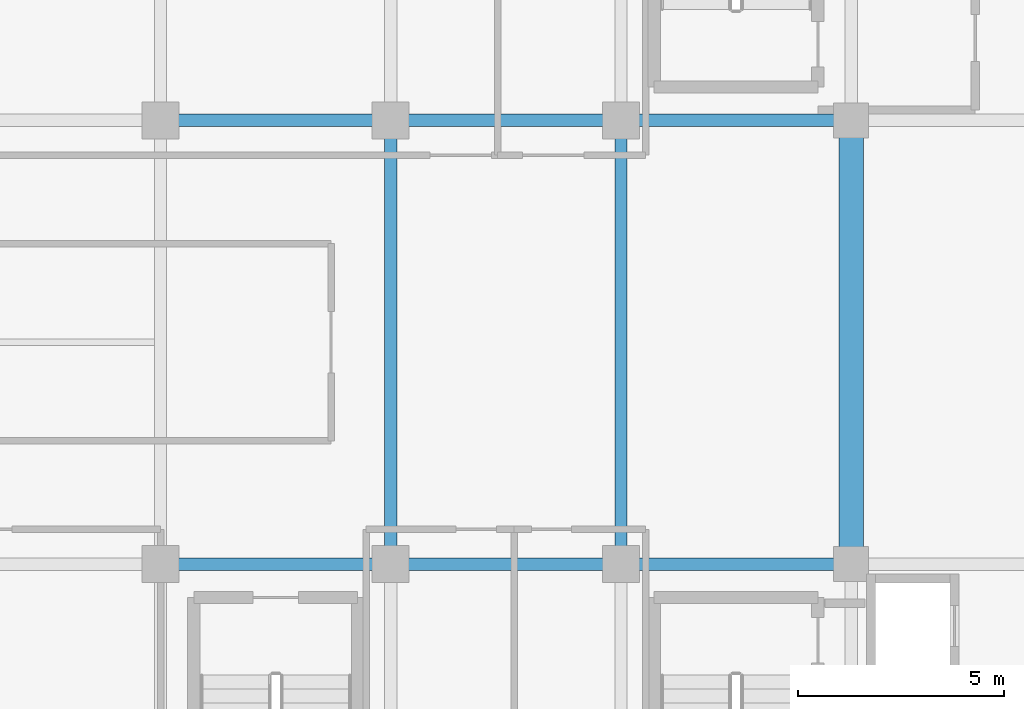
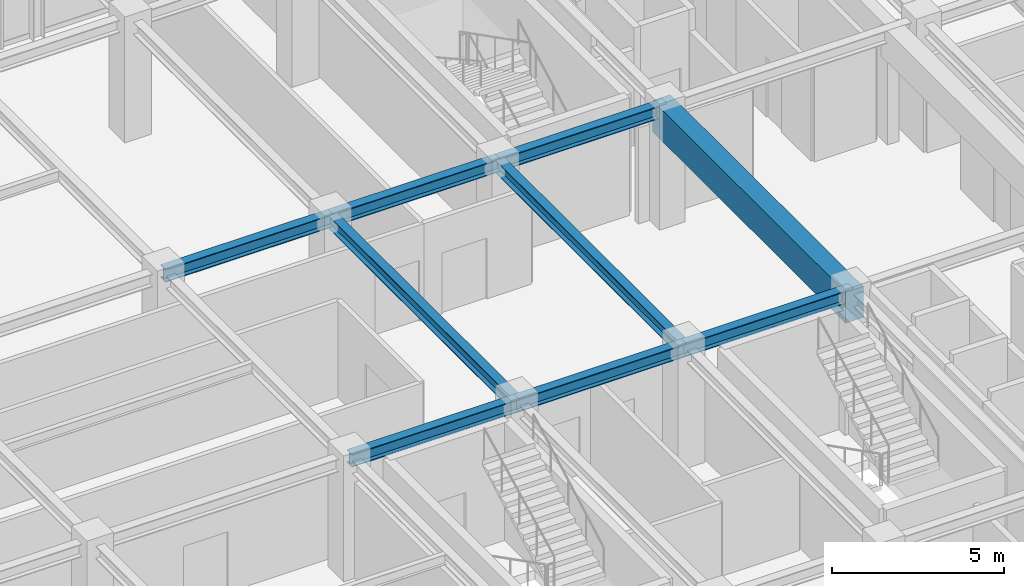
# One storey, part 9 of 20: 9 beams.
"""IFC4 building model written with IfcOpenShell, lengths in metres."""

import ifcopenshell
import ifcopenshell.guid

model = None  # the IFC model being written
_history = None  # IfcOwnerHistory: only IFC2X3 demands one
_inside = {}  # id of a spatial element -> (the spatial element, [elements in it])
_under = {}  # id of a project, library or spatial element -> (it, [spatial elements below it])
_declared = {}  # id of a project -> (the project, [libraries it declares])
_typed = {}  # id of a type object -> (the type object, [elements of that type])
_made_of = {}  # id of a material, layer set ... -> (it, [elements and type objects made of it])


def new_model(schema):
    """Start an empty IFC model of exactly this schema.

    Asked for "IFC4X3", IfcOpenShell would pick the latest addendum, in which some entities
    have other attributes; the version numbers below select the first issue.
    IFC2X3 requires an IfcOwnerHistory on every rooted entity: one is made here for all.
    """
    global model, _history
    if schema == "IFC4X3":
        model = ifcopenshell.file(schema_version=(4, 3, 0, 0))
    else:
        model = ifcopenshell.file(schema=schema)
    _inside.clear()
    _under.clear()
    _declared.clear()
    _typed.clear()
    _made_of.clear()
    _history = None
    if model.schema == "IFC2X3":
        org = make("IfcOrganization", Name="unknown")
        user = make(
            "IfcPersonAndOrganization",
            ThePerson=make("IfcPerson", FamilyName="unknown"),
            TheOrganization=org,
        )
        app = make(
            "IfcApplication",
            ApplicationDeveloper=org,
            Version="unknown",
            ApplicationFullName="unknown",
            ApplicationIdentifier="unknown",
        )
        _history = make(
            "IfcOwnerHistory",
            OwningUser=user,
            OwningApplication=app,
            ChangeAction="ADDED",
            CreationDate=0,
        )
    return model


def make(cls, **values):
    """One entity of the class cls with the attributes given. An attribute that is None is left unset."""
    return model.create_entity(
        cls, **{name: value for name, value in values.items() if value is not None}
    )


def rooted(cls, **values):
    """An entity with a GlobalId (a new one), such as an element, a storey or a relation."""
    return make(cls, GlobalId=ifcopenshell.guid.new(), OwnerHistory=_history, **values)


def si_unit(unit_type, name, prefix=None):
    """IfcSIUnit, for example si_unit("LENGTHUNIT", "METRE", prefix="MILLI")."""
    return make("IfcSIUnit", UnitType=unit_type, Prefix=prefix, Name=name)


def assignment(units):
    """IfcUnitAssignment: the units of a project."""
    return None if units is None else make("IfcUnitAssignment", Units=units)


def point(xyz):
    """IfcCartesianPoint."""
    return None if xyz is None else make("IfcCartesianPoint", Coordinates=xyz)


def direction(xyz):
    """IfcDirection."""
    return None if xyz is None else make("IfcDirection", DirectionRatios=xyz)


def frame(location, z_axis=None, x_axis=None):
    """IfcAxis2Placement3D, a coordinate frame: its origin and axes. An axis left out is left unset."""
    return make(
        "IfcAxis2Placement3D",
        Location=point(location),
        Axis=direction(z_axis),
        RefDirection=direction(x_axis),
    )


def frame_2d(location, x_axis=None):
    """IfcAxis2Placement2D, a coordinate frame in the plane: its origin and x axis."""
    return make(
        "IfcAxis2Placement2D", Location=point(location), RefDirection=direction(x_axis)
    )


def origin():
    """The frame at (0, 0, 0) with its axes left unset."""
    return frame((0.0, 0.0, 0.0))


def origin_2d():
    """The frame at (0, 0) in the plane with its x axis left unset."""
    return frame_2d((0.0, 0.0))


def place(relative_to, where):
    """IfcLocalPlacement: puts the frame where relative to a parent placement (None: the world)."""
    return make(
        "IfcLocalPlacement", PlacementRelTo=relative_to, RelativePlacement=where
    )


def context(
    kind, dimensions, precision=None, world=None, true_north=None, identifier=None
):
    """IfcGeometricRepresentationContext, for example the 3D "Model" context."""
    return make(
        "IfcGeometricRepresentationContext",
        ContextIdentifier=identifier,
        ContextType=kind,
        CoordinateSpaceDimension=dimensions,
        Precision=precision,
        WorldCoordinateSystem=world,
        TrueNorth=true_north,
    )


def subcontext(parent, identifier, kind, view, scale=None):
    """IfcGeometricRepresentationSubContext, for example "Body" below "Model"."""
    return make(
        "IfcGeometricRepresentationSubContext",
        ContextIdentifier=identifier,
        ContextType=kind,
        ParentContext=parent,
        TargetScale=scale,
        TargetView=view,
    )


def project(units=None, contexts=None):
    """IfcProject with its units and contexts."""
    return rooted(
        "IfcProject",
        Name="project",
        RepresentationContexts=contexts,
        UnitsInContext=assignment(units),
    )


def spatial(cls, under=None, at=None, **own):
    """A site, building, storey or space (cls), placed at a placement, below another one or the project."""
    s = rooted(cls, ObjectPlacement=at, **own)
    if under is not None:
        _under.setdefault(under.id(), (under, []))[1].append(s)
    return s


def profile(cls, at=None, kind="AREA", **sizes):
    """A parametric profile (cls). Its sizes go by their IFC names, for example OverallWidth=200.0."""
    return make(cls, ProfileType=kind, Position=at, **sizes)


def rectangle(**sizes):
    """IfcRectangleProfileDef."""
    return profile("IfcRectangleProfileDef", **sizes)


def i_section(**sizes):
    """IfcIShapeProfileDef."""
    return profile("IfcIShapeProfileDef", **sizes)


def extrude(swept, where, along, depth):
    """IfcExtrudedAreaSolid: the profile swept, set in the frame where, extruded along a direction by depth."""
    return make(
        "IfcExtrudedAreaSolid",
        SweptArea=swept,
        Position=where,
        ExtrudedDirection=direction(along),
        Depth=depth,
    )


def shape(context_of_items, identifier, shape_type, items):
    """IfcShapeRepresentation: the items that make up one representation, for example the "Body"."""
    return make(
        "IfcShapeRepresentation",
        ContextOfItems=context_of_items,
        RepresentationIdentifier=identifier,
        RepresentationType=shape_type,
        Items=items,
    )


def source(mapping_origin, context_of_items, identifier, shape_type, items):
    """IfcRepresentationMap: a shape defined once, which mapped items show again and again."""
    return make(
        "IfcRepresentationMap",
        MappingOrigin=mapping_origin,
        MappedRepresentation=shape(context_of_items, identifier, shape_type, items),
    )


def transform(
    local_origin,
    x_axis=None,
    y_axis=None,
    z_axis=None,
    scale=None,
    scale2=None,
    scale3=None,
    uniform=True,
):
    """IfcCartesianTransformationOperator3D, or its non-uniform kind. x_axis, y_axis, z_axis: its Axis1, 2, 3."""
    if uniform:
        return make(
            "IfcCartesianTransformationOperator3D",
            Axis1=direction(x_axis),
            Axis2=direction(y_axis),
            LocalOrigin=point(local_origin),
            Scale=scale,
            Axis3=direction(z_axis),
        )
    return make(
        "IfcCartesianTransformationOperator3DnonUniform",
        Axis1=direction(x_axis),
        Axis2=direction(y_axis),
        LocalOrigin=point(local_origin),
        Scale=scale,
        Axis3=direction(z_axis),
        Scale2=scale2,
        Scale3=scale3,
    )


def mapped(mapping_source, mapping_target):
    """IfcMappedItem: shows the shape of a source again, moved by a transform."""
    return make(
        "IfcMappedItem", MappingSource=mapping_source, MappingTarget=mapping_target
    )


def material(Name=None, Category=None):
    """IfcMaterial."""
    return make("IfcMaterial", Name=Name, Category=Category)


def material_profile(
    of_material, cross_section, Name=None, Category=None, Priority=None
):
    """IfcMaterialProfile: a cross section and its material."""
    return make(
        "IfcMaterialProfile",
        Name=Name,
        Material=of_material,
        Profile=cross_section,
        Priority=Priority,
        Category=Category,
    )


def profile_set(profiles, Name=None, composite=None):
    """IfcMaterialProfileSet."""
    return make(
        "IfcMaterialProfileSet",
        Name=Name,
        MaterialProfiles=profiles,
        CompositeProfile=composite,
    )


def made_of(thing, what):
    """Note that an element or type object is made of a material, layer set ...; save() writes the relation."""
    if what is not None:
        _made_of.setdefault(what.id(), (what, []))[1].append(thing)
    return thing


def type_object(cls, material=None, **own):
    """A type object (cls), such as IfcWallType, which elements share."""
    return made_of(rooted(cls, **own), material)


def element(
    cls,
    number,
    at=None,
    inside=None,
    cuts=None,
    type_object=None,
    material=None,
    context=None,
    identifier="Body",
    shape_type=None,
    held_by="IfcProductDefinitionShape",
    body=None,
    shapes=None,
    **own,
):
    """One element of the class cls, such as IfcWall. Its Tag is "e" and its number.

    at: its placement. inside: the storey or other place that contains it. cuts: it is an
    opening in that element (IfcRelVoidsElement). A single representation is given by context,
    identifier, shape_type and body (its items); several are given by shapes. held_by: the class
    of the entity that holds the representations. save() writes the other relations.
    """
    e = rooted(cls, Tag="e%d" % number, ObjectPlacement=at, **own)
    if body is not None:
        shapes = [shape(context, identifier, shape_type, body)]
    if shapes is not None:
        e.Representation = make(held_by, Representations=shapes)
    if inside is not None:
        _inside.setdefault(inside.id(), (inside, []))[1].append(e)
    if cuts is not None:
        rooted(
            "IfcRelVoidsElement", RelatingBuildingElement=cuts, RelatedOpeningElement=e
        )
    if type_object is not None:
        _typed.setdefault(type_object.id(), (type_object, []))[1].append(e)
    return made_of(e, material)


def aggregate(whole, parts):
    """IfcRelAggregates: a whole, such as a stair, and the parts it consists of."""
    return rooted("IfcRelAggregates", RelatingObject=whole, RelatedObjects=parts)


def save(model, path):
    """Write the relations noted so far, then the file.

    IfcRelAggregates (storeys below a building ...), IfcRelContainedInSpatialStructure (elements
    in a storey), IfcRelDefinesByType, IfcRelAssociatesMaterial and IfcRelDeclares: one each for
    every whole, place, type object, material and project.
    """
    for whole, parts in _under.values():
        aggregate(whole, parts)
    for where, things in _inside.values():
        rooted(
            "IfcRelContainedInSpatialStructure",
            RelatedElements=things,
            RelatingStructure=where,
        )
    for kind, things in _typed.values():
        rooted("IfcRelDefinesByType", RelatedObjects=things, RelatingType=kind)
    for what, things in _made_of.values():
        rooted("IfcRelAssociatesMaterial", RelatedObjects=things, RelatingMaterial=what)
    for by, libraries in _declared.values():
        rooted("IfcRelDeclares", RelatingContext=by, RelatedDefinitions=libraries)
    model.write(path)


model = new_model("IFC4")

# Units and contexts
model_context = context("Model", 3, precision=1e-05, world=origin(), true_north=direction((0.0, 1.0)))
body_context = subcontext(model_context, "Body", "Model", "MODEL_VIEW")
ifc_project = project(units=[si_unit("LENGTHUNIT", "METRE"), si_unit("AREAUNIT", "SQUARE_METRE"), si_unit("VOLUMEUNIT", "CUBIC_METRE"), si_unit("PLANEANGLEUNIT", "RADIAN"), si_unit("MASSUNIT", "GRAM", prefix="KILO")], contexts=[model_context])

# Site, building, storey
site_placement = place(None, origin())
site = spatial("IfcSite", under=ifc_project, at=site_placement, CompositionType="ELEMENT")
building_placement = place(site_placement, origin())
building = spatial("IfcBuilding", under=site, at=building_placement, Name="Nahalor Promenade Grand Hotel", CompositionType="ELEMENT")
storey_placement = place(building_placement, frame((0.0, 0.0, 347.550048828125)))
storey = spatial("IfcBuildingStorey", under=building, at=storey_placement, Name="L89", CompositionType="ELEMENT", Elevation=347.550048828125)

# Beams
ifc_material_1 = material(Name="Concrete B-60 (C50/60)", Category="concrete")
ifc_material_profile_1 = material_profile(ifc_material_1, rectangle(XDim=0.6, YDim=1.1, at=origin_2d()), Name="RC 600x1100")
ifc_profile_set_1 = profile_set([ifc_material_profile_1], Name="Concrete B-60 (C50/60)")
beam_type_1 = type_object("IfcBeamType", Name="Beam-Lintel-RC1100", PredefinedType="LINTEL", material=ifc_profile_set_1)
shared_shape_1 = source(origin(), body_context, "Body", "SweptSolid", [
    extrude(rectangle(XDim=0.6, YDim=1.1, at=origin_2d()), origin(), (0.0, 0.0, 1.0), 11.2001953125),
])
beam_placement = place(storey_placement, frame((8.39990234375, -5.60009765625, 3.619873046875), z_axis=(0.0, 1.0, 0.0), x_axis=(-1.0, 0.0, 0.0)))
element("IfcBeam", 1, at=beam_placement, inside=storey, type_object=beam_type_1, Name="BM-L89-LINT-W", PredefinedType="LINTEL", context=body_context, shape_type="MappedRepresentation", body=[
    mapped(shared_shape_1, transform((0.0, 0.0, 0.0), scale=1.0)),
])
ifc_material_2 = material(Name="Steel S355JR", Category="steel")
ifc_material_profile_2 = material_profile(ifc_material_2, i_section(OverallWidth=0.3, OverallDepth=0.45, WebThickness=0.014, FlangeThickness=0.026, at=origin_2d()), Name="HEB 450")
ifc_profile_set_2 = profile_set([ifc_material_profile_2], Name="Steel S355JR")
beam_type_2 = type_object("IfcBeamType", Name="Beam-Girder-HEB450", PredefinedType="BEAM", material=ifc_profile_set_2)
shared_shape_2 = source(origin(), body_context, "Body", "SweptSolid", [
    extrude(i_section(OverallWidth=0.3, OverallDepth=0.45, WebThickness=0.014, FlangeThickness=0.026, at=origin_2d()), origin(), (0.0, 0.0, 1.0), 5.599853515625),
])
for number, where, z_axis, x_axis, name in (
    (2, (-8.39990234375, -5.39990234375, 3.945068359375), (1.0, 0.0, 0.0), (0.0, 1.0, 0.0), "BM-L89-GX-1-2"),
    (3, (2.800048828125, -5.39990234375, 3.945068359375), (1.0, 0.0, 0.0), (0.0, 1.0, 0.0), "BM-L89-GX-1-4"),
    (4, (-8.39990234375, 5.39990234375, 3.945068359375), (1.0, 0.0, 0.0), (0.0, 1.0, 0.0), "BM-L89-GX-2-2"),
    (5, (2.800048828125, 5.39990234375, 3.945068359375), (1.0, 0.0, 0.0), (0.0, 1.0, 0.0), "BM-L89-GX-2-4"),
):
    element("IfcBeam", number, at=place(storey_placement, frame(where, z_axis=z_axis, x_axis=x_axis)), inside=storey, type_object=beam_type_2, Name=name, PredefinedType="BEAM", context=body_context, shape_type="MappedRepresentation", body=[
        mapped(shared_shape_2, transform((0.0, 0.0, 0.0), scale=1.0)),
    ])
shared_shape_3 = source(origin(), body_context, "Body", "SweptSolid", [
    extrude(i_section(OverallWidth=0.3, OverallDepth=0.45, WebThickness=0.014, FlangeThickness=0.026, at=origin_2d()), origin(), (0.0, 0.0, 1.0), 5.60009765625),
])
for number, where, z_axis, x_axis, name in (
    (6, (-2.800048828125, -5.39990234375, 3.945068359375), (1.0, 0.0, 0.0), (0.0, 1.0, 0.0), "BM-L89-GX-1-3"),
    (7, (-2.800048828125, 5.39990234375, 3.945068359375), (1.0, 0.0, 0.0), (0.0, 1.0, 0.0), "BM-L89-GX-2-3"),
):
    element("IfcBeam", number, at=place(storey_placement, frame(where, z_axis=z_axis, x_axis=x_axis)), inside=storey, type_object=beam_type_2, Name=name, PredefinedType="BEAM", context=body_context, shape_type="MappedRepresentation", body=[
        mapped(shared_shape_3, transform((0.0, 0.0, 0.0), scale=1.0)),
    ])
shared_shape_4 = source(origin(), body_context, "Body", "SweptSolid", [
    extrude(i_section(OverallWidth=0.3, OverallDepth=0.45, WebThickness=0.014, FlangeThickness=0.026, at=origin_2d()), origin(), (0.0, 0.0, 1.0), 10.7998046875),
])
for number, where, z_axis, x_axis, name in (
    (8, (-2.800048828125, -5.39990234375, 3.945068359375), (0.0, 1.0, 0.0), (-1.0, 0.0, 0.0), "BM-L89-GY-2-2"),
    (9, (2.800048828125, -5.39990234375, 3.945068359375), (0.0, 1.0, 0.0), (-1.0, 0.0, 0.0), "BM-L89-GY-3-2"),
):
    element("IfcBeam", number, at=place(storey_placement, frame(where, z_axis=z_axis, x_axis=x_axis)), inside=storey, type_object=beam_type_2, Name=name, PredefinedType="BEAM", context=body_context, shape_type="MappedRepresentation", body=[
        mapped(shared_shape_4, transform((0.0, 0.0, 0.0), scale=1.0)),
    ])

save(model, "model.ifc")
